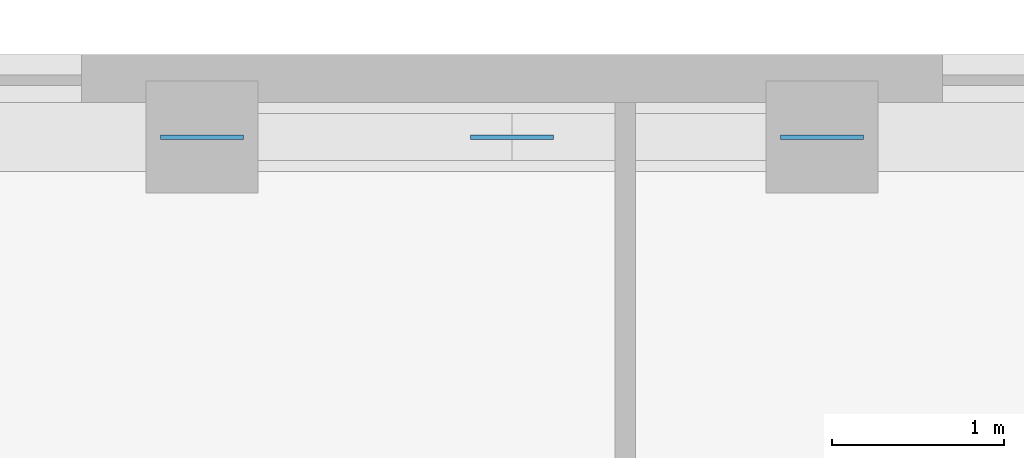
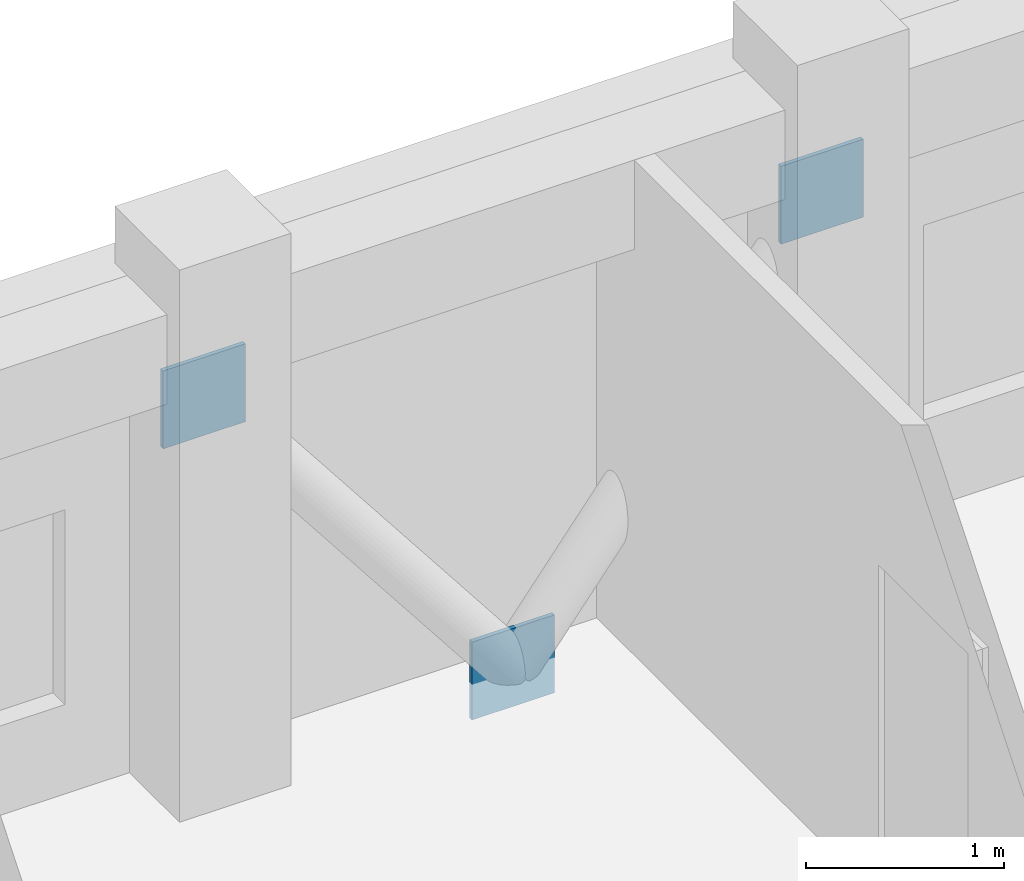
# One storey, part 9 of 11: 3 discrete accessories.
"""IFC4 building model written with IfcOpenShell, lengths in metres."""

from ifc_helpers import new_model, si_unit, derived_unit, direction, frame, origin, origin_2d, place, context, subcontext, project, spatial, rectangle, extrude, material, layer, layer_set, type_object, element, save


model = new_model("IFC4")

# Units and contexts
model_context = context("Model", 3, precision=1e-05, world=origin(), true_north=direction((0.0, 1.0)))
body_context = subcontext(model_context, "Body", "Model", "MODEL_VIEW")
ifc_project = project(units=[si_unit("LENGTHUNIT", "METRE"), si_unit("AREAUNIT", "SQUARE_METRE"), si_unit("VOLUMEUNIT", "CUBIC_METRE"), si_unit("PLANEANGLEUNIT", "RADIAN"), si_unit("MASSUNIT", "GRAM", prefix="KILO"), derived_unit("THERMALTRANSMITTANCEUNIT", [(si_unit("MASSUNIT", "GRAM", prefix="KILO"), 1), (si_unit("TIMEUNIT", "SECOND"), -3), (si_unit("THERMODYNAMICTEMPERATUREUNIT", "KELVIN"), -1)])], contexts=[model_context])

# Site, building, storey
site_placement = place(None, origin())
site = spatial("IfcSite", under=ifc_project, at=site_placement, CompositionType="ELEMENT")
building_placement = place(site_placement, origin())
building = spatial("IfcBuilding", under=site, at=building_placement, Name="Korrvale Station Residences", CompositionType="ELEMENT")
storey_placement = place(building_placement, frame((0.0, 0.0, 258.10009765625)))
storey = spatial("IfcBuildingStorey", under=building, at=storey_placement, Name="L75", CompositionType="ELEMENT", Elevation=258.10009765625)

# Discrete accessories
ifc_material = material(Name="Steel S355", Category="steel")
ifc_layer = layer(ifc_material, 0.02490234375, Name="Steel S355")
ifc_layer_set = layer_set([ifc_layer], Name="Steel S355")
discrete_accessory_type = type_object("IfcDiscreteAccessoryType", Name="ACC-GUSSET-25", PredefinedType="BRACKET", material=ifc_layer_set)
for number, where, z_axis, x_axis, name in (
    (1, (25.0, 39.719970703125, -0.219970703125), (0.0, 0.0, 1.0), (1.0, 0.0, 0.0), "L75 N Brace End Gusset Connection M"),
    (2, (23.199951171875, 39.719970703125, 2.079833984375), (0.0, 0.0, 1.0), (1.0, 0.0, 0.0), "L75 N Brace End Gusset Connection A"),
    (3, (26.800048828125, 39.719970703125, 2.079833984375), (0.0, 0.0, 1.0), (1.0, 0.0, 0.0), "L75 N Brace End Gusset Connection B"),
):
    element("IfcDiscreteAccessory", number, at=place(storey_placement, frame(where, z_axis=z_axis, x_axis=x_axis)), inside=storey, type_object=discrete_accessory_type, Name=name, PredefinedType="BRACKET", context=body_context, shape_type="SweptSolid", body=[
        extrude(rectangle(XDim=0.47998046875, YDim=0.02490234375, at=origin_2d()), origin(), (0.0, 0.0, 1.0), 0.47998046875),
    ])

save(model, "model.ifc")
